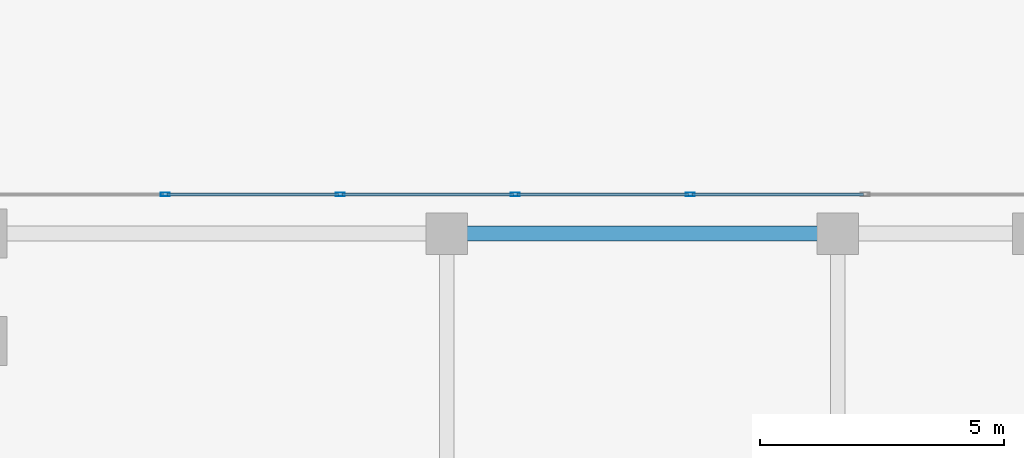
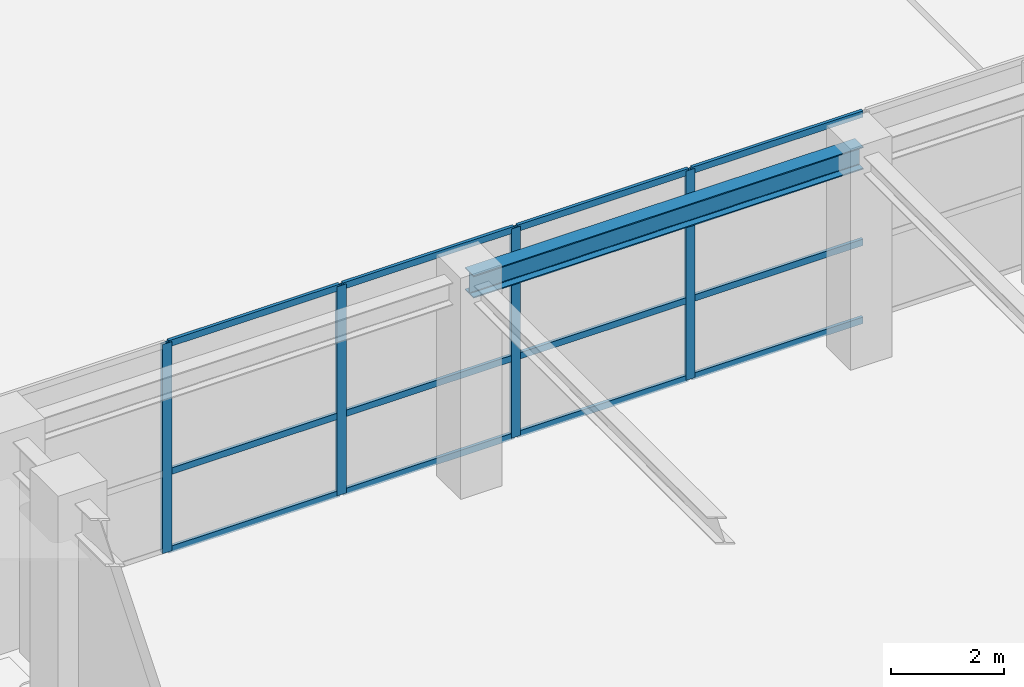
# One storey, part 15 of 40: 16 members, 1 beam, 1 element without a shape of its own.
"""IFC4 building model written with IfcOpenShell, lengths in metres."""

from ifc_helpers import new_model, si_unit, derived_unit, direction, frame, origin, origin_2d, place, context, subcontext, project, spatial, hollow_rectangle, i_section, extrude, source, transform, mapped, material, layer, layer_set, material_profile, profile_set, type_object, element, aggregate, save


model = new_model("IFC4")

# Units and contexts
model_context = context("Model", 3, precision=1e-05, world=origin(), true_north=direction((0.0, 1.0)))
body_context = subcontext(model_context, "Body", "Model", "MODEL_VIEW")
ifc_project = project(units=[si_unit("LENGTHUNIT", "METRE"), si_unit("AREAUNIT", "SQUARE_METRE"), si_unit("VOLUMEUNIT", "CUBIC_METRE"), si_unit("PLANEANGLEUNIT", "RADIAN"), si_unit("MASSUNIT", "GRAM", prefix="KILO"), derived_unit("THERMALTRANSMITTANCEUNIT", [(si_unit("POWERUNIT", "WATT"), 1), (si_unit("LENGTHUNIT", "METRE"), -2), (si_unit("THERMODYNAMICTEMPERATUREUNIT", "KELVIN"), -1)])], contexts=[model_context])

# Site, building, storey
site_placement = place(None, origin())
site = spatial("IfcSite", under=ifc_project, at=site_placement, CompositionType="ELEMENT")
building_placement = place(site_placement, origin())
building = spatial("IfcBuilding", under=site, at=building_placement, Name="Korsvarv Bourse and Concert Hall", CompositionType="ELEMENT")
storey_placement = place(building_placement, origin())
storey = spatial("IfcBuildingStorey", under=building, at=storey_placement, Name="L00", CompositionType="ELEMENT", Elevation=0.0)

# Beam
ifc_material_1 = material(Name="Steel S355", Category="steel")
ifc_material_profile_1 = material_profile(ifc_material_1, i_section(OverallWidth=0.300048828125, OverallDepth=0.489990234375, WebThickness=0.011962890625, FlangeThickness=0.02294921875, FilletRadius=0.02392578125, at=origin_2d()), Name="HEA 500")
ifc_profile_set_1 = profile_set([ifc_material_profile_1], Name="Steel S355")
beam_type = type_object("IfcBeamType", Name="BM-HEA500", PredefinedType="BEAM", material=ifc_profile_set_1)
shared_shape_1 = source(origin(), body_context, "Body", "SweptSolid", [
    extrude(i_section(OverallWidth=0.300048828125, OverallDepth=0.489990234375, WebThickness=0.011962890625, FlangeThickness=0.02294921875, FilletRadius=0.02392578125, at=origin_2d()), origin(), (0.0, 0.0, 1.0), 8.0),
])
beam_placement = place(storey_placement, frame((75.5, 42.199951171875, 4.294921875), z_axis=(1.0, 0.0, 0.0), x_axis=(0.0, 1.0, 0.0)))
element("IfcBeam", 1, at=beam_placement, inside=storey, type_object=beam_type, Name="L00 beam B-10", PredefinedType="BEAM", context=body_context, shape_type="MappedRepresentation", body=[
    mapped(shared_shape_1, transform((0.0, 0.0, 0.0), scale=1.0)),
])

# Curtain wall, members
ifc_material_2 = material(Name="Anodised aluminium and triple low-E glazing", Category="glass")
ifc_layer = layer(ifc_material_2, 0.239990234375)
ifc_layer_set = layer_set([ifc_layer], Name="Anodised aluminium and triple low-E glazing")
curtain_wall_type = type_object("IfcCurtainWallType", Name="CW-SYS-5", PredefinedType="NOTDEFINED", material=ifc_layer_set)
curtain_wall_placement = place(storey_placement, origin())
curtain_wall = element("IfcCurtainWall", 2, at=curtain_wall_placement, inside=storey, type_object=curtain_wall_type, Name="L00 CW5 curtain wall CW-L00-LKN", PredefinedType="NOTDEFINED")
ifc_material_3 = material(Name="Extruded aluminium EN AW-6063 T66", Category="aluminium")
ifc_material_profile_2 = material_profile(ifc_material_3, hollow_rectangle(XDim=0.070068359375, YDim=0.18994140625, WallThickness=0.0048828125, at=origin_2d()), Name="ALU-M 70x190")
ifc_profile_set_2 = profile_set([ifc_material_profile_2], Name="Extruded aluminium EN AW-6063 T66")
member_type_1 = type_object("IfcMemberType", Name="CWM-190", PredefinedType="MULLION", material=ifc_profile_set_2)
shared_shape_2 = source(origin(), body_context, "Body", "SweptSolid", [
    extrude(hollow_rectangle(XDim=0.070068359375, YDim=0.18994140625, WallThickness=0.0048828125, at=origin_2d()), origin(), (0.0, 0.0, 1.0), 4.5400390625),
])
member_1_placement = place(storey_placement, frame((69.739990234375, 43.0, 0.0), z_axis=(0.0, 0.0, 1.0), x_axis=(0.0, 1.0, 0.0)))
member_1 = element("IfcMember", 3, at=member_1_placement, type_object=member_type_1, Name="CW5 mullion 2", PredefinedType="MULLION", context=body_context, shape_type="MappedRepresentation", body=[
    mapped(shared_shape_2, transform((0.0, 0.0, 0.0), scale=1.0)),
])
member_2_placement = place(storey_placement, frame((73.320068359375, 43.0, 0.0), z_axis=(0.0, 0.0, 1.0), x_axis=(0.0, 1.0, 0.0)))
member_2 = element("IfcMember", 4, at=member_2_placement, type_object=member_type_1, Name="CW5 mullion 3", PredefinedType="MULLION", context=body_context, shape_type="MappedRepresentation", body=[
    mapped(shared_shape_2, transform((0.0, 0.0, 0.0), scale=1.0)),
])
member_3_placement = place(storey_placement, frame((76.89990234375, 43.0, 0.0), z_axis=(0.0, 0.0, 1.0), x_axis=(0.0, 1.0, 0.0)))
member_3 = element("IfcMember", 5, at=member_3_placement, type_object=member_type_1, Name="CW5 mullion 4", PredefinedType="MULLION", context=body_context, shape_type="MappedRepresentation", body=[
    mapped(shared_shape_2, transform((0.0, 0.0, 0.0), scale=1.0)),
])
member_4_placement = place(storey_placement, frame((80.47998046875, 43.0, 0.0), z_axis=(0.0, 0.0, 1.0), x_axis=(0.0, 1.0, 0.0)))
member_4 = element("IfcMember", 6, at=member_4_placement, type_object=member_type_1, Name="CW5 mullion 5", PredefinedType="MULLION", context=body_context, shape_type="MappedRepresentation", body=[
    mapped(shared_shape_2, transform((0.0, 0.0, 0.0), scale=1.0)),
])
ifc_material_profile_3 = material_profile(ifc_material_3, hollow_rectangle(XDim=0.06494140625, YDim=0.139892578125, WallThickness=0.00390625, at=origin_2d()), Name="ALU-T 65x140")
ifc_profile_set_3 = profile_set([ifc_material_profile_3], Name="Extruded aluminium EN AW-6063 T66")
member_type_2 = type_object("IfcMemberType", Name="CWT-140", PredefinedType="USERDEFINED", material=ifc_profile_set_3)
shared_shape_3 = source(origin(), body_context, "Body", "SweptSolid", [
    extrude(hollow_rectangle(XDim=0.06494140625, YDim=0.139892578125, WallThickness=0.00390625, at=origin_2d()), origin(), (0.0, 0.0, 1.0), 3.510009765625),
])
member_5_placement = place(storey_placement, frame((69.77490234375, 43.0, 0.032470703125), z_axis=(1.0, 0.0, 0.0), x_axis=(0.0, 1.0, 0.0)))
member_5 = element("IfcMember", 7, at=member_5_placement, type_object=member_type_2, Name="CW5 transom 2.1", ObjectType="TRANSOM", PredefinedType="USERDEFINED", context=body_context, shape_type="MappedRepresentation", body=[
    mapped(shared_shape_3, transform((0.0, 0.0, 0.0), scale=1.0)),
])
member_6_placement = place(storey_placement, frame((69.77490234375, 43.0, 1.72509765625), z_axis=(1.0, 0.0, 0.0), x_axis=(0.0, 1.0, 0.0)))
member_6 = element("IfcMember", 8, at=member_6_placement, type_object=member_type_2, Name="CW5 transom 2.2", ObjectType="TRANSOM", PredefinedType="USERDEFINED", context=body_context, shape_type="MappedRepresentation", body=[
    mapped(shared_shape_3, transform((0.0, 0.0, 0.0), scale=1.0)),
])
member_7_placement = place(storey_placement, frame((69.77490234375, 43.0, 4.507568359375), z_axis=(1.0, 0.0, 0.0), x_axis=(0.0, 1.0, 0.0)))
member_7 = element("IfcMember", 9, at=member_7_placement, type_object=member_type_2, Name="CW5 transom 2.3", ObjectType="TRANSOM", PredefinedType="USERDEFINED", context=body_context, shape_type="MappedRepresentation", body=[
    mapped(shared_shape_3, transform((0.0, 0.0, 0.0), scale=1.0)),
])
member_8_placement = place(storey_placement, frame((73.35498046875, 43.0, 0.032470703125), z_axis=(1.0, 0.0, 0.0), x_axis=(0.0, 1.0, 0.0)))
member_8 = element("IfcMember", 10, at=member_8_placement, type_object=member_type_2, Name="CW5 transom 3.1", ObjectType="TRANSOM", PredefinedType="USERDEFINED", context=body_context, shape_type="MappedRepresentation", body=[
    mapped(shared_shape_3, transform((0.0, 0.0, 0.0), scale=1.0)),
])
member_9_placement = place(storey_placement, frame((73.35498046875, 43.0, 1.72509765625), z_axis=(1.0, 0.0, 0.0), x_axis=(0.0, 1.0, 0.0)))
member_9 = element("IfcMember", 11, at=member_9_placement, type_object=member_type_2, Name="CW5 transom 3.2", ObjectType="TRANSOM", PredefinedType="USERDEFINED", context=body_context, shape_type="MappedRepresentation", body=[
    mapped(shared_shape_3, transform((0.0, 0.0, 0.0), scale=1.0)),
])
member_10_placement = place(storey_placement, frame((73.35498046875, 43.0, 4.507568359375), z_axis=(1.0, 0.0, 0.0), x_axis=(0.0, 1.0, 0.0)))
member_10 = element("IfcMember", 12, at=member_10_placement, type_object=member_type_2, Name="CW5 transom 3.3", ObjectType="TRANSOM", PredefinedType="USERDEFINED", context=body_context, shape_type="MappedRepresentation", body=[
    mapped(shared_shape_3, transform((0.0, 0.0, 0.0), scale=1.0)),
])
member_11_placement = place(storey_placement, frame((76.93505859375, 43.0, 0.032470703125), z_axis=(1.0, 0.0, 0.0), x_axis=(0.0, 1.0, 0.0)))
member_11 = element("IfcMember", 13, at=member_11_placement, type_object=member_type_2, Name="CW5 transom 4.1", ObjectType="TRANSOM", PredefinedType="USERDEFINED", context=body_context, shape_type="MappedRepresentation", body=[
    mapped(shared_shape_3, transform((0.0, 0.0, 0.0), scale=1.0)),
])
member_12_placement = place(storey_placement, frame((76.93505859375, 43.0, 1.72509765625), z_axis=(1.0, 0.0, 0.0), x_axis=(0.0, 1.0, 0.0)))
member_12 = element("IfcMember", 14, at=member_12_placement, type_object=member_type_2, Name="CW5 transom 4.2", ObjectType="TRANSOM", PredefinedType="USERDEFINED", context=body_context, shape_type="MappedRepresentation", body=[
    mapped(shared_shape_3, transform((0.0, 0.0, 0.0), scale=1.0)),
])
member_13_placement = place(storey_placement, frame((76.93505859375, 43.0, 4.507568359375), z_axis=(1.0, 0.0, 0.0), x_axis=(0.0, 1.0, 0.0)))
member_13 = element("IfcMember", 15, at=member_13_placement, type_object=member_type_2, Name="CW5 transom 4.3", ObjectType="TRANSOM", PredefinedType="USERDEFINED", context=body_context, shape_type="MappedRepresentation", body=[
    mapped(shared_shape_3, transform((0.0, 0.0, 0.0), scale=1.0)),
])
member_14_placement = place(storey_placement, frame((80.514892578125, 43.0, 0.032470703125), z_axis=(1.0, 0.0, 0.0), x_axis=(0.0, 1.0, 0.0)))
member_14 = element("IfcMember", 16, at=member_14_placement, type_object=member_type_2, Name="CW5 transom 5.1", ObjectType="TRANSOM", PredefinedType="USERDEFINED", context=body_context, shape_type="MappedRepresentation", body=[
    mapped(shared_shape_3, transform((0.0, 0.0, 0.0), scale=1.0)),
])
member_15_placement = place(storey_placement, frame((80.514892578125, 43.0, 1.72509765625), z_axis=(1.0, 0.0, 0.0), x_axis=(0.0, 1.0, 0.0)))
member_15 = element("IfcMember", 17, at=member_15_placement, type_object=member_type_2, Name="CW5 transom 5.2", ObjectType="TRANSOM", PredefinedType="USERDEFINED", context=body_context, shape_type="MappedRepresentation", body=[
    mapped(shared_shape_3, transform((0.0, 0.0, 0.0), scale=1.0)),
])
member_16_placement = place(storey_placement, frame((80.514892578125, 43.0, 4.507568359375), z_axis=(1.0, 0.0, 0.0), x_axis=(0.0, 1.0, 0.0)))
member_16 = element("IfcMember", 18, at=member_16_placement, type_object=member_type_2, Name="CW5 transom 5.3", ObjectType="TRANSOM", PredefinedType="USERDEFINED", context=body_context, shape_type="MappedRepresentation", body=[
    mapped(shared_shape_3, transform((0.0, 0.0, 0.0), scale=1.0)),
])
aggregate(curtain_wall, [member_1, member_2, member_3, member_4, member_5, member_6, member_7, member_8, member_9, member_10, member_11, member_12, member_13, member_14, member_15, member_16])

save(model, "model.ifc")
